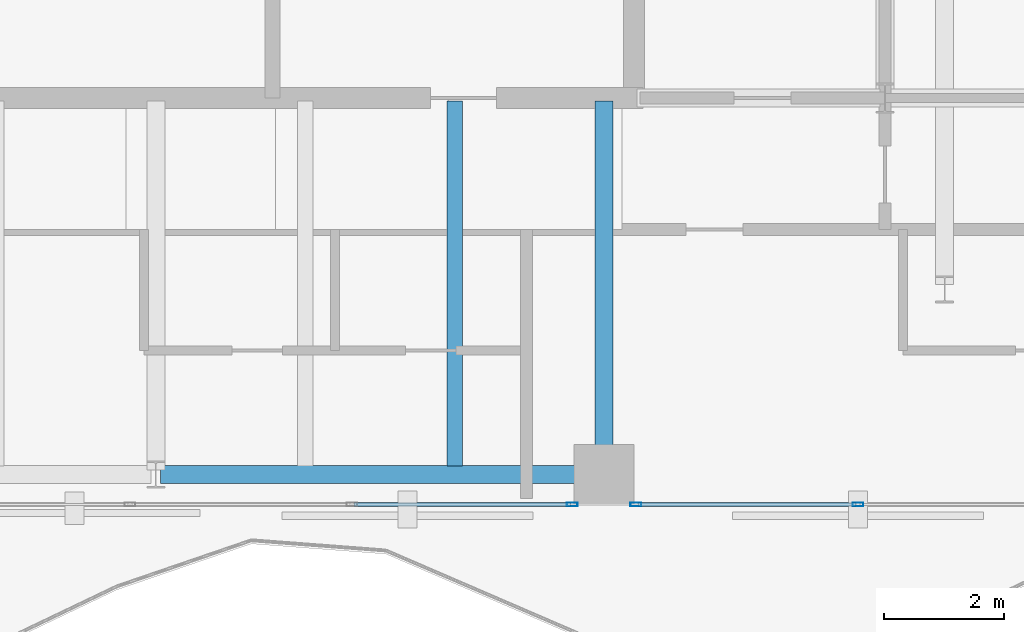
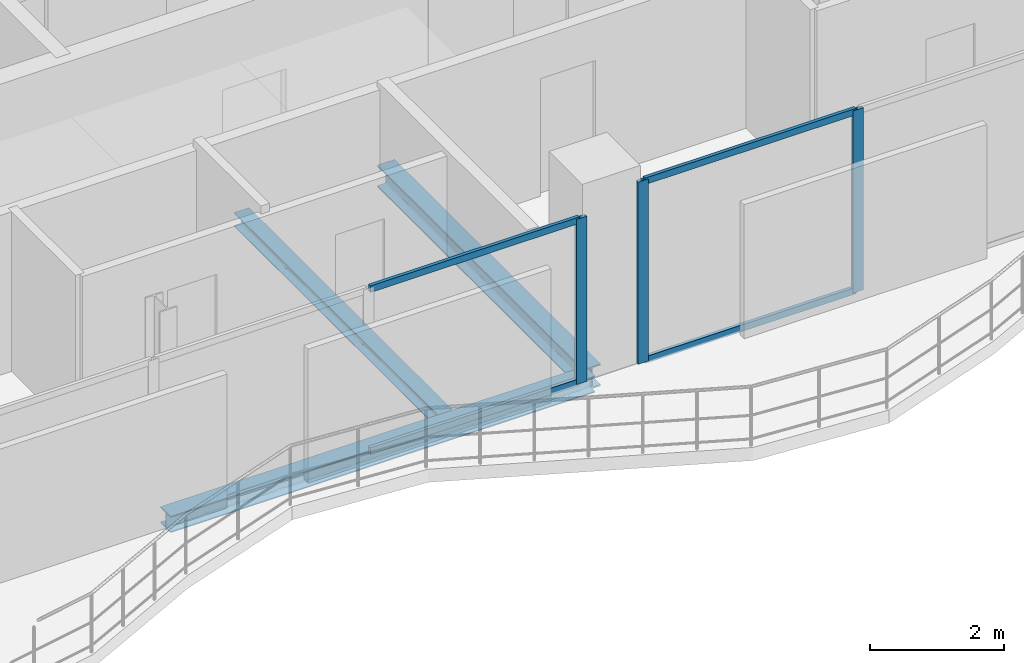
# One storey, part 12 of 23: 7 members, 3 beams, 2 elements without a shape of their own.
"""IFC4 building model written with IfcOpenShell, lengths in metres."""

from ifc_helpers import new_model, si_unit, direction, frame, origin, origin_2d, place, context, subcontext, project, spatial, hollow_rectangle, i_section, extrude, material, layer, layer_set, material_profile, profile_set, type_object, element, aggregate, save


model = new_model("IFC4")

# Units and contexts
model_context = context("Model", 3, precision=1e-05, world=origin(), true_north=direction((0.0, 1.0)))
body_context = subcontext(model_context, "Body", "Model", "MODEL_VIEW")
ifc_project = project(units=[si_unit("LENGTHUNIT", "METRE"), si_unit("AREAUNIT", "SQUARE_METRE"), si_unit("VOLUMEUNIT", "CUBIC_METRE"), si_unit("PLANEANGLEUNIT", "RADIAN"), si_unit("MASSUNIT", "GRAM", prefix="KILO")], contexts=[model_context])

# Site, building, storey
site_placement = place(None, origin())
site = spatial("IfcSite", under=ifc_project, at=site_placement, CompositionType="ELEMENT")
building_placement = place(site_placement, origin())
building = spatial("IfcBuilding", under=site, at=building_placement, Name="Catumbela Crestline Tower", CompositionType="ELEMENT")
storey_placement = place(building_placement, frame((0.0, 0.0, 193.8)))
storey = spatial("IfcBuildingStorey", under=building, at=storey_placement, Name="L50", CompositionType="ELEMENT", Elevation=193.8)

# Beams
ifc_material_1 = material(Name="Structural steel S355J2", Category="steel")
ifc_material_profile_1 = material_profile(ifc_material_1, i_section(OverallWidth=0.3, OverallDepth=0.4, WebThickness=0.0135, FlangeThickness=0.024, FilletRadius=0.027, at=origin_2d()), Name="HEB 400")
ifc_profile_set_1 = profile_set([ifc_material_profile_1], Name="Structural steel S355J2")
beam_type_1 = type_object("IfcBeamType", Name="BG-HEB400", PredefinedType="BEAM", material=ifc_profile_set_1)
beam_1_placement = place(storey_placement, frame((39.5, 24.58, -0.46), z_axis=(0.0, 1.0, 0.0), x_axis=(-1.0, 0.0, 0.0)))
element("IfcBeam", 1, at=beam_1_placement, inside=storey, type_object=beam_type_1, Name="L50 Beam BM-L50-SNS20", PredefinedType="BEAM", context=body_context, shape_type="SweptSolid", body=[
    extrude(i_section(OverallWidth=0.3, OverallDepth=0.4, WebThickness=0.0135, FlangeThickness=0.024, FilletRadius=0.027, at=origin_2d()), origin(), (0.0, 0.0, 1.0), 6.17),
])
ifc_material_profile_2 = material_profile(ifc_material_1, i_section(OverallWidth=0.26, OverallDepth=0.25, WebThickness=0.0075, FlangeThickness=0.0125, FilletRadius=0.024, at=origin_2d()), Name="HEA 260")
ifc_profile_set_2 = profile_set([ifc_material_profile_2], Name="Structural steel S355J2")
beam_type_2 = type_object("IfcBeamType", Name="BJ-HEA260", PredefinedType="JOIST", material=ifc_profile_set_2)
beam_2_placement = place(storey_placement, frame((37.0, 24.647, -0.385), z_axis=(0.0, 1.0, 0.0), x_axis=(-1.0, 0.0, 0.0)))
element("IfcBeam", 2, at=beam_2_placement, inside=storey, type_object=beam_type_2, Name="L50 Joist JS-L50-SP31", PredefinedType="JOIST", context=body_context, shape_type="SweptSolid", body=[
    extrude(i_section(OverallWidth=0.26, OverallDepth=0.25, WebThickness=0.0075, FlangeThickness=0.0125, FilletRadius=0.024, at=origin_2d()), origin(), (0.0, 0.0, 1.0), 6.103),
])

# Curtain wall, member
ifc_material_2 = material(Name="Aluminium alloy AW-6060-T66", Category="aluminium")
ifc_layer = layer(ifc_material_2, 0.18, Name="Aluminium alloy AW-6060-T66")
ifc_layer_set = layer_set([ifc_layer], Name="Aluminium alloy AW-6060-T66")
curtain_wall_type = type_object("IfcCurtainWallType", Name="CWU-Z3", PredefinedType="USERDEFINED", material=ifc_layer_set)
curtain_wall_1_placement = place(storey_placement, origin())
curtain_wall_1 = element("IfcCurtainWall", 3, at=curtain_wall_1_placement, inside=storey, type_object=curtain_wall_type, Name="L50 Unitised Curtain Wall CW-L50-E3S2", ObjectType="UNITISED", PredefinedType="USERDEFINED")
ifc_material_profile_3 = material_profile(ifc_material_2, hollow_rectangle(XDim=0.065, YDim=0.18, WallThickness=0.004, at=origin_2d()), Name="ALU 180x65x4")
ifc_profile_set_3 = profile_set([ifc_material_profile_3], Name="Aluminium alloy AW-6060-T66")
member_type_1 = type_object("IfcMemberType", Name="MUL-180X65", PredefinedType="MULLION", material=ifc_profile_set_3)
member_1_placement = place(storey_placement, frame((38.9675, 24.0, 0.0), z_axis=(0.0, 0.0, 1.0), x_axis=(0.0, 1.0, 0.0)))
member_1 = element("IfcMember", 4, at=member_1_placement, type_object=member_type_1, Name="CWU-Z3 mullion 4", PredefinedType="MULLION", context=body_context, shape_type="SweptSolid", body=[
    extrude(hollow_rectangle(XDim=0.065, YDim=0.18, WallThickness=0.004, at=origin_2d()), origin(), (0.0, 0.0, 1.0), 3.02),
])

# Curtain wall, members
curtain_wall_2_placement = place(storey_placement, origin())
curtain_wall_2 = element("IfcCurtainWall", 5, at=curtain_wall_2_placement, inside=storey, type_object=curtain_wall_type, Name="L50 Unitised Curtain Wall CW-L50-E3S3", ObjectType="UNITISED", PredefinedType="USERDEFINED")
member_2_placement = place(storey_placement, frame((40.0325, 24.0, 0.0), z_axis=(0.0, 0.0, 1.0), x_axis=(0.0, 1.0, 0.0)))
member_2 = element("IfcMember", 6, at=member_2_placement, type_object=member_type_1, Name="CWU-Z3 mullion 1", PredefinedType="MULLION", context=body_context, shape_type="SweptSolid", body=[
    extrude(hollow_rectangle(XDim=0.065, YDim=0.18, WallThickness=0.004, at=origin_2d()), origin(), (0.0, 0.0, 1.0), 3.33),
])
member_3_placement = place(storey_placement, frame((43.75, 24.0, 0.0), z_axis=(0.0, 0.0, 1.0), x_axis=(0.0, 1.0, 0.0)))
member_3 = element("IfcMember", 7, at=member_3_placement, type_object=member_type_1, Name="CWU-Z3 mullion 2", PredefinedType="MULLION", context=body_context, shape_type="SweptSolid", body=[
    extrude(hollow_rectangle(XDim=0.065, YDim=0.18, WallThickness=0.004, at=origin_2d()), origin(), (0.0, 0.0, 1.0), 3.33),
])

# Beam
ifc_material_profile_4 = material_profile(ifc_material_1, i_section(OverallWidth=0.3, OverallDepth=0.3, WebThickness=0.011, FlangeThickness=0.019, FilletRadius=0.027, at=origin_2d()), Name="HEB 300")
ifc_profile_set_4 = profile_set([ifc_material_profile_4], Name="Structural steel S355J2")
beam_type_3 = type_object("IfcBeamType", Name="BS-HEB300", PredefinedType="SPANDREL", material=ifc_profile_set_4)
beam_3_placement = place(storey_placement, frame((32.08, 24.5, -0.41), z_axis=(1.0, 0.0, 0.0), x_axis=(0.0, 1.0, 0.0)))
element("IfcBeam", 8, at=beam_3_placement, inside=storey, type_object=beam_type_3, Name="L50 Spandrel SP-L50-S05", PredefinedType="SPANDREL", context=body_context, shape_type="SweptSolid", body=[
    extrude(i_section(OverallWidth=0.3, OverallDepth=0.3, WebThickness=0.011, FlangeThickness=0.019, FilletRadius=0.027, at=origin_2d()), origin(), (0.0, 0.0, 1.0), 7.34),
])

# Member
ifc_material_profile_5 = material_profile(ifc_material_2, hollow_rectangle(XDim=0.06, YDim=0.12, WallThickness=0.0035, at=origin_2d()), Name="ALU 120x60x3.5")
ifc_profile_set_5 = profile_set([ifc_material_profile_5], Name="Aluminium alloy AW-6060-T66")
member_type_2 = type_object("IfcMemberType", Name="TRN-120X60", PredefinedType="USERDEFINED", material=ifc_profile_set_5)
member_4_placement = place(storey_placement, frame((35.3158, 24.0, 0.03), z_axis=(1.0, 0.0, 0.0), x_axis=(0.0, 1.0, 0.0)))
member_4 = element("IfcMember", 9, at=member_4_placement, type_object=member_type_2, Name="CWU-Z3 transom 3.1", ObjectType="TRANSOM", PredefinedType="USERDEFINED", context=body_context, shape_type="SweptSolid", body=[
    extrude(hollow_rectangle(XDim=0.06, YDim=0.12, WallThickness=0.0035, at=origin_2d()), origin(), (0.0, 0.0, 1.0), 3.6192),
])

member_5_placement = place(storey_placement, frame((35.3158, 24.0, 2.99), z_axis=(1.0, 0.0, 0.0), x_axis=(0.0, 1.0, 0.0)))
member_5 = element("IfcMember", 10, at=member_5_placement, type_object=member_type_2, Name="CWU-Z3 transom 3.2", ObjectType="TRANSOM", PredefinedType="USERDEFINED", context=body_context, shape_type="SweptSolid", body=[
    extrude(hollow_rectangle(XDim=0.06, YDim=0.12, WallThickness=0.0035, at=origin_2d()), origin(), (0.0, 0.0, 1.0), 3.6192),
])

aggregate(curtain_wall_1, [member_1, member_4, member_5])

member_6_placement = place(storey_placement, frame((40.065, 24.0, 0.03), z_axis=(1.0, 0.0, 0.0), x_axis=(0.0, 1.0, 0.0)))
member_6 = element("IfcMember", 11, at=member_6_placement, type_object=member_type_2, Name="CWU-Z3 transom 1.1", ObjectType="TRANSOM", PredefinedType="USERDEFINED", context=body_context, shape_type="SweptSolid", body=[
    extrude(hollow_rectangle(XDim=0.06, YDim=0.12, WallThickness=0.0035, at=origin_2d()), origin(), (0.0, 0.0, 1.0), 3.6525),
])

member_7_placement = place(storey_placement, frame((40.065, 24.0, 3.3), z_axis=(1.0, 0.0, 0.0), x_axis=(0.0, 1.0, 0.0)))
member_7 = element("IfcMember", 12, at=member_7_placement, type_object=member_type_2, Name="CWU-Z3 transom 1.2", ObjectType="TRANSOM", PredefinedType="USERDEFINED", context=body_context, shape_type="SweptSolid", body=[
    extrude(hollow_rectangle(XDim=0.06, YDim=0.12, WallThickness=0.0035, at=origin_2d()), origin(), (0.0, 0.0, 1.0), 3.6525),
])

aggregate(curtain_wall_2, [member_2, member_3, member_6, member_7])

save(model, "model.ifc")
